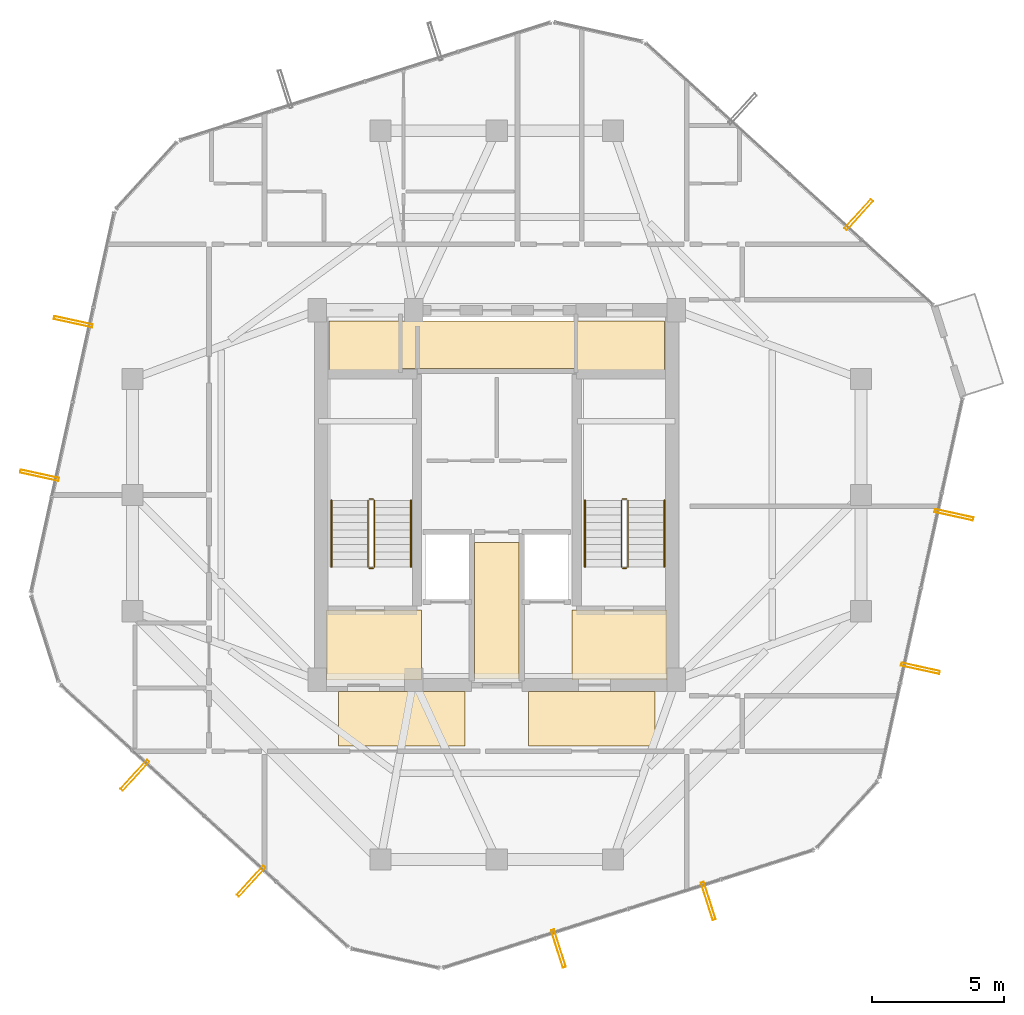
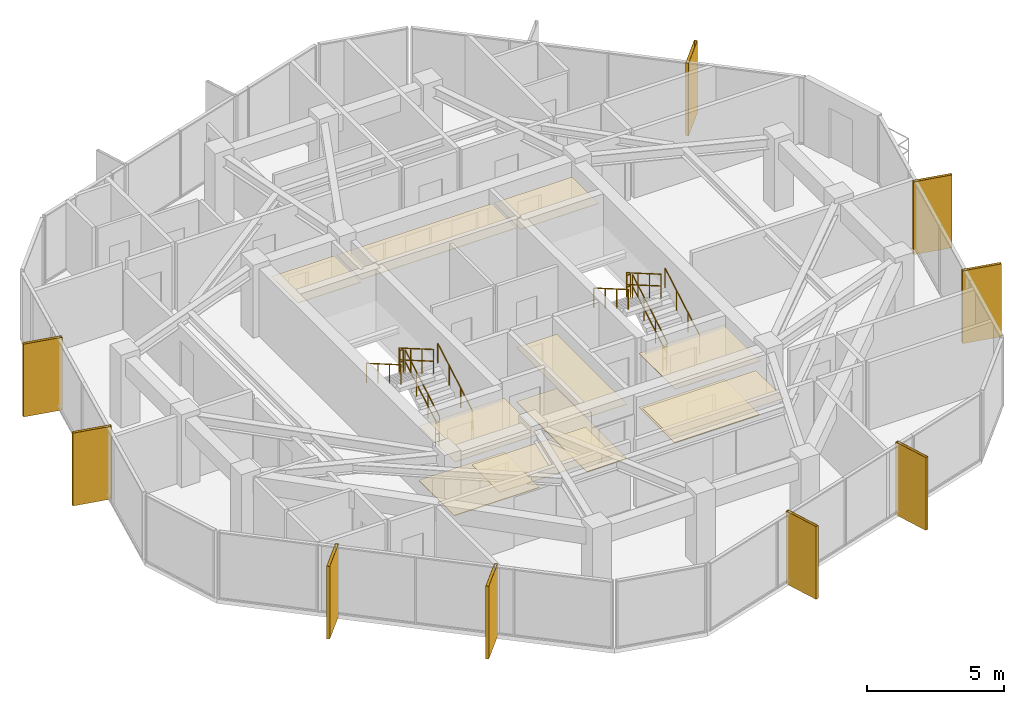
# One storey, part 27 of 28: 12 railings, 11 coverings, 9 shading devices.
"""IFC4 building model written with IfcOpenShell, lengths in metres."""

from ifc_helpers import new_model, si_unit, direction, frame, origin, origin_2d, place, context, subcontext, project, spatial, polyline, hollow_rectangle, circle, outline, extrude, material, layer, layer_set, material_profile, profile_set, type_object, element, save


model = new_model("IFC4")

# Units and contexts
model_context = context("Model", 3, precision=1e-05, world=origin(), true_north=direction((0.0, 1.0)))
body_context = subcontext(model_context, "Body", "Model", "MODEL_VIEW")
ifc_project = project(units=[si_unit("LENGTHUNIT", "METRE"), si_unit("AREAUNIT", "SQUARE_METRE"), si_unit("VOLUMEUNIT", "CUBIC_METRE"), si_unit("PLANEANGLEUNIT", "RADIAN"), si_unit("MASSUNIT", "GRAM", prefix="KILO")], contexts=[model_context])

# Site, building, storey
site_placement = place(None, origin())
site = spatial("IfcSite", under=ifc_project, at=site_placement, CompositionType="ELEMENT")
building_placement = place(site_placement, origin())
building = spatial("IfcBuilding", under=site, at=building_placement, Name="Veraguas Prism Commons", CompositionType="ELEMENT")
storey_placement = place(building_placement, frame((0.0, 0.0, 251.25)))
storey = spatial("IfcBuildingStorey", under=building, at=storey_placement, Name="L71", CompositionType="ELEMENT", Elevation=251.25)

# Shading devices
ifc_material_1 = material(Name="Anodised aluminium EN AW-6063 T6", Category="aluminium")
ifc_material_profile = material_profile(ifc_material_1, hollow_rectangle(XDim=0.1201171875, YDim=1.489990234375, WallThickness=0.006103515625, at=origin_2d()), Name="FIN120X1490X6")
ifc_profile_set = profile_set([ifc_material_profile], Name="Anodised aluminium EN AW-6063 T6")
shading_device_type = type_object("IfcShadingDeviceType", Name="Deep Pale-Metal Vertical Solar Fin 120x1490", PredefinedType="USERDEFINED", material=ifc_profile_set)
for number, where, z_axis, x_axis, name in (
    (1, (37.7080078125, 34.614501953125, -0.215087890625), (0.0, 0.0, 1.0), (-0.738925912503, 0.673786684219, 0.0), "Vertical Pale-Metal Solar Fin L71-F1A"),
    (2, (7.95361328125, 30.564208984375, -0.215087890625), (0.0, 0.0, 1.0), (-0.214048314383, -0.97682307462, 0.0), "Vertical Pale-Metal Solar Fin L71-F3A"),
    (3, (6.67919921875, 24.747802734375, -0.215087890625), (0.0, 0.0, 1.0), (-0.214048314383, -0.97682307462, 0.0), "Vertical Pale-Metal Solar Fin L71-F3B"),
    (4, (10.2919921875, 13.385498046875, -0.215087890625), (0.0, 0.0, 1.0), (0.738925912503, -0.673786684219, 0.0), "Vertical Pale-Metal Solar Fin L71-F4A"),
    (5, (14.692138671875, 9.37353515625, -0.215087890625), (0.0, 0.0, 1.0), (0.738925912503, -0.673786684219, 0.0), "Vertical Pale-Metal Solar Fin L71-F4B"),
    (6, (26.33837890625, 6.8212890625, -0.215087890625), (0.0, 0.0, 1.0), (0.952979341517, 0.303035269633, 0.0), "Vertical Pale-Metal Solar Fin L71-F5A"),
    (7, (32.012939453125, 8.6259765625, -0.215087890625), (0.0, 0.0, 1.0), (0.952979341517, 0.303035269633, 0.0), "Vertical Pale-Metal Solar Fin L71-F5B"),
    (8, (40.04638671875, 17.435791015625, -0.215087890625), (0.0, 0.0, 1.0), (0.214048314383, 0.97682307462, 0.0), "Vertical Pale-Metal Solar Fin L71-F6A"),
    (9, (41.32080078125, 23.252197265625, -0.215087890625), (0.0, 0.0, 1.0), (0.214048314383, 0.97682307462, 0.0), "Vertical Pale-Metal Solar Fin L71-F6B"),
):
    element("IfcShadingDevice", number, at=place(storey_placement, frame(where, z_axis=z_axis, x_axis=x_axis)), inside=storey, type_object=shading_device_type, Name=name, ObjectType="FIN", PredefinedType="USERDEFINED", context=body_context, shape_type="SweptSolid", body=[
        extrude(hollow_rectangle(XDim=0.1201171875, YDim=1.489990234375, WallThickness=0.006103515625, at=origin_2d()), origin(), (0.0, 0.0, 1.0), 3.25),
    ])

# Coverings
ifc_material_2 = material(Name="Acoustic gypsum board")
ifc_layer_1 = layer(ifc_material_2, 0.02490234375, Name="Perforated Acoustic Ceiling Tile 25")
ifc_layer_set_1 = layer_set([ifc_layer_1], Name="Acoustic gypsum board")
covering_type_1 = type_object("IfcCoveringType", Name="Perforated Acoustic Ceiling Tile 25", PredefinedType="USERDEFINED", material=ifc_layer_set_1)
covering_1_placement = place(storey_placement, frame((0.0, 0.0, 2.425048828125)))
element("IfcCovering", 10, at=covering_1_placement, inside=storey, type_object=covering_type_1, Name="East Lobby Acoustic Ceiling L71", ObjectType="ACOUSTIC CEILING", PredefinedType="USERDEFINED", context=body_context, shape_type="SweptSolid", body=[
    extrude(outline(polyline([(26.85009765625, 17.0), (30.449951171875, 17.0), (30.449951171875, 19.64990234375), (26.85009765625, 19.64990234375), (26.85009765625, 17.0)])), origin(), (0.0, 0.0, 1.0), 0.02490234375),
])
ifc_material_3 = material(Name="Terrazzo stone finish", Category="masonry")
ifc_layer_2 = layer(ifc_material_3, 0.030029296875, Name="Polished Terrazzo Floor Finish 30", Category="masonry")
ifc_layer_set_2 = layer_set([ifc_layer_2], Name="Terrazzo stone finish")
covering_type_2 = type_object("IfcCoveringType", Name="Polished Terrazzo Floor Finish 30", PredefinedType="FLOORING", material=ifc_layer_set_2)
covering_2_placement = place(storey_placement, origin())
element("IfcCovering", 11, at=covering_2_placement, inside=storey, type_object=covering_type_2, Name="Terrazzo Lobby Flooring L71", PredefinedType="FLOORING", context=body_context, shape_type="SweptSolid", body=[
    extrude(outline(polyline([(23.14990234375, 17.050048828125), (24.85009765625, 17.050048828125), (24.85009765625, 22.199951171875), (23.14990234375, 22.199951171875), (23.14990234375, 17.050048828125)])), origin(), (0.0, 0.0, 1.0), 0.030029296875),
])
covering_3_placement = place(storey_placement, origin())
element("IfcCovering", 12, at=covering_3_placement, inside=storey, type_object=covering_type_2, Name="West FF Lobby Terrazzo Flooring L71", PredefinedType="FLOORING", context=body_context, shape_type="SweptSolid", body=[
    extrude(outline(polyline([(17.550048828125, 17.050048828125), (21.14990234375, 17.050048828125), (21.14990234375, 19.64990234375), (17.550048828125, 19.64990234375), (17.550048828125, 17.050048828125)])), origin(), (0.0, 0.0, 1.0), 0.030029296875),
])
covering_4_placement = place(storey_placement, origin())
element("IfcCovering", 13, at=covering_4_placement, inside=storey, type_object=covering_type_2, Name="East FF Lobby Terrazzo Flooring L71", PredefinedType="FLOORING", context=body_context, shape_type="SweptSolid", body=[
    extrude(outline(polyline([(26.85009765625, 17.050048828125), (30.449951171875, 17.050048828125), (30.449951171875, 19.64990234375), (26.85009765625, 19.64990234375), (26.85009765625, 17.050048828125)])), origin(), (0.0, 0.0, 1.0), 0.030029296875),
])

# Railings
ifc_material_4 = material(Name="Stainless steel AISI 316", Category="steel")
railing_type_1 = type_object("IfcRailingType", Name="Stair and Ramp Stainless Handrail 900", PredefinedType="HANDRAIL", material=ifc_material_4)
railing_1_placement = place(storey_placement, frame((20.75, 21.280029296875, 0.16259765625)))
element("IfcRailing", 14, at=railing_1_placement, inside=storey, type_object=railing_type_1, Name="Stair Handrail ST-01 L71-1", PredefinedType="HANDRAIL", context=body_context, shape_type="SweptSolid", body=[
    extrude(circle(Radius=0.02392578125, at=origin_2d()), frame((0.0, 0.0, 0.8759765625), z_axis=(0.0, 0.864913338283, 0.50192122615), x_axis=(-1.0, 0.0, 0.0)), (0.0, 0.0, 1.0), 2.91357421875),
    extrude(circle(Radius=0.02099609375, at=origin_2d()), origin(), (0.0, 0.0, 1.0), 0.851806640625),
    extrude(circle(Radius=0.02099609375, at=origin_2d()), frame((0.0, 0.840087890625, 0.487548828125)), (0.0, 0.0, 1.0), 0.851806640625),
    extrude(circle(Radius=0.02099609375, at=origin_2d()), frame((0.0, 1.679931640625, 0.974853515625)), (0.0, 0.0, 1.0), 0.851806640625),
    extrude(circle(Radius=0.02099609375, at=origin_2d()), frame((0.0, 2.52001953125, 1.46240234375)), (0.0, 0.0, 1.0), 0.851806640625),
])
railing_2_placement = place(storey_placement, frame((17.739990234375, 23.800048828125, 1.78759765625)))
element("IfcRailing", 15, at=railing_2_placement, inside=storey, type_object=railing_type_1, Name="Stair Handrail ST-01 L71-2", PredefinedType="HANDRAIL", context=body_context, shape_type="SweptSolid", body=[
    extrude(circle(Radius=0.02392578125, at=origin_2d()), frame((0.0, 0.0, 0.8759765625), z_axis=(0.0, -0.864913338283, 0.50192122615), x_axis=(1.0, 0.0, 0.0)), (0.0, 0.0, 1.0), 2.91357421875),
    extrude(circle(Radius=0.02099609375, at=origin_2d()), origin(), (0.0, 0.0, 1.0), 0.851806640625),
    extrude(circle(Radius=0.02099609375, at=origin_2d()), frame((0.0, -0.840087890625, 0.487548828125)), (0.0, 0.0, 1.0), 0.851806640625),
    extrude(circle(Radius=0.02099609375, at=origin_2d()), frame((0.0, -1.679931640625, 0.974853515625)), (0.0, 0.0, 1.0), 0.851806640625),
    extrude(circle(Radius=0.02099609375, at=origin_2d()), frame((0.0, -2.52001953125, 1.46240234375)), (0.0, 0.0, 1.0), 0.851806640625),
])
railing_3_placement = place(storey_placement, frame((30.35009765625, 21.280029296875, 0.16259765625)))
element("IfcRailing", 16, at=railing_3_placement, inside=storey, type_object=railing_type_1, Name="Stair Handrail ST-02 L71-1", PredefinedType="HANDRAIL", context=body_context, shape_type="SweptSolid", body=[
    extrude(circle(Radius=0.02392578125, at=origin_2d()), frame((0.0, 0.0, 0.8759765625), z_axis=(0.0, 0.864913338283, 0.50192122615), x_axis=(-1.0, 0.0, 0.0)), (0.0, 0.0, 1.0), 2.91357421875),
    extrude(circle(Radius=0.02099609375, at=origin_2d()), origin(), (0.0, 0.0, 1.0), 0.851806640625),
    extrude(circle(Radius=0.02099609375, at=origin_2d()), frame((0.0, 0.840087890625, 0.487548828125)), (0.0, 0.0, 1.0), 0.851806640625),
    extrude(circle(Radius=0.02099609375, at=origin_2d()), frame((0.0, 1.679931640625, 0.974853515625)), (0.0, 0.0, 1.0), 0.851806640625),
    extrude(circle(Radius=0.02099609375, at=origin_2d()), frame((0.0, 2.52001953125, 1.46240234375)), (0.0, 0.0, 1.0), 0.851806640625),
])
railing_4_placement = place(storey_placement, frame((27.340087890625, 23.800048828125, 1.78759765625)))
element("IfcRailing", 17, at=railing_4_placement, inside=storey, type_object=railing_type_1, Name="Stair Handrail ST-02 L71-2", PredefinedType="HANDRAIL", context=body_context, shape_type="SweptSolid", body=[
    extrude(circle(Radius=0.02392578125, at=origin_2d()), frame((0.0, 0.0, 0.8759765625), z_axis=(0.0, -0.864913338283, 0.50192122615), x_axis=(1.0, 0.0, 0.0)), (0.0, 0.0, 1.0), 2.91357421875),
    extrude(circle(Radius=0.02099609375, at=origin_2d()), origin(), (0.0, 0.0, 1.0), 0.851806640625),
    extrude(circle(Radius=0.02099609375, at=origin_2d()), frame((0.0, -0.840087890625, 0.487548828125)), (0.0, 0.0, 1.0), 0.851806640625),
    extrude(circle(Radius=0.02099609375, at=origin_2d()), frame((0.0, -1.679931640625, 0.974853515625)), (0.0, 0.0, 1.0), 0.851806640625),
    extrude(circle(Radius=0.02099609375, at=origin_2d()), frame((0.0, -2.52001953125, 1.46240234375)), (0.0, 0.0, 1.0), 0.851806640625),
])
railing_type_2 = type_object("IfcRailingType", Name="Stairwell Safety Guardrail 1100", PredefinedType="GUARDRAIL", material=ifc_material_4)
railing_5_placement = place(storey_placement, frame((19.3701171875, 21.280029296875, 0.16259765625)))
element("IfcRailing", 18, at=railing_5_placement, inside=storey, type_object=railing_type_2, Name="Stair Guard ST-01 L71-1", PredefinedType="GUARDRAIL", context=body_context, shape_type="SweptSolid", body=[
    extrude(circle(Radius=0.02392578125, at=origin_2d()), frame((0.0, 0.0, 1.076171875), z_axis=(0.0, 0.864913338283, 0.50192122615), x_axis=(-1.0, 0.0, 0.0)), (0.0, 0.0, 1.0), 2.91357421875),
    extrude(circle(Radius=0.02392578125, at=origin_2d()), frame((0.0, 0.0, 0.550048828125), z_axis=(0.0, 0.864913338283, 0.50192122615), x_axis=(-1.0, 0.0, 0.0)), (0.0, 0.0, 1.0), 2.91357421875),
    extrude(circle(Radius=0.02099609375, at=origin_2d()), origin(), (0.0, 0.0, 1.0), 1.052001953125),
    extrude(circle(Radius=0.02099609375, at=origin_2d()), frame((0.0, 0.840087890625, 0.487548828125)), (0.0, 0.0, 1.0), 1.052001953125),
    extrude(circle(Radius=0.02099609375, at=origin_2d()), frame((0.0, 1.679931640625, 0.974853515625)), (0.0, 0.0, 1.0), 1.052001953125),
    extrude(circle(Radius=0.02099609375, at=origin_2d()), frame((0.0, 2.52001953125, 1.46240234375)), (0.0, 0.0, 1.0), 1.052001953125),
])
railing_6_placement = place(storey_placement, frame((19.320068359375, 23.85009765625, 1.625)))
element("IfcRailing", 19, at=railing_6_placement, inside=storey, type_object=railing_type_2, Name="Stair Guard ST-01 L71-2", PredefinedType="GUARDRAIL", context=body_context, shape_type="SweptSolid", body=[
    extrude(circle(Radius=0.02392578125, at=origin_2d()), frame((0.0, 0.0, 1.076171875), z_axis=(-1.0, 0.0, 0.0), x_axis=(0.0, -1.0, 0.0)), (0.0, 0.0, 1.0), 0.150146484375),
    extrude(circle(Radius=0.02392578125, at=origin_2d()), frame((0.0, 0.0, 0.550048828125), z_axis=(-1.0, 0.0, 0.0), x_axis=(0.0, -1.0, 0.0)), (0.0, 0.0, 1.0), 0.150146484375),
    extrude(circle(Radius=0.02099609375, at=origin_2d()), origin(), (0.0, 0.0, 1.0), 1.052001953125),
    extrude(circle(Radius=0.02099609375, at=origin_2d()), frame((-0.150146484375, 0.0, 0.0)), (0.0, 0.0, 1.0), 1.052001953125),
])
railing_7_placement = place(storey_placement, frame((19.1201171875, 23.800048828125, 1.78759765625)))
element("IfcRailing", 20, at=railing_7_placement, inside=storey, type_object=railing_type_2, Name="Stair Guard ST-01 L71-3", PredefinedType="GUARDRAIL", context=body_context, shape_type="SweptSolid", body=[
    extrude(circle(Radius=0.02392578125, at=origin_2d()), frame((0.0, 0.0, 1.076171875), z_axis=(0.0, -0.864913338283, 0.50192122615), x_axis=(1.0, 0.0, 0.0)), (0.0, 0.0, 1.0), 2.91357421875),
    extrude(circle(Radius=0.02392578125, at=origin_2d()), frame((0.0, 0.0, 0.550048828125), z_axis=(0.0, -0.864913338283, 0.50192122615), x_axis=(1.0, 0.0, 0.0)), (0.0, 0.0, 1.0), 2.91357421875),
    extrude(circle(Radius=0.02099609375, at=origin_2d()), origin(), (0.0, 0.0, 1.0), 1.052001953125),
    extrude(circle(Radius=0.02099609375, at=origin_2d()), frame((0.0, -0.840087890625, 0.487548828125)), (0.0, 0.0, 1.0), 1.052001953125),
    extrude(circle(Radius=0.02099609375, at=origin_2d()), frame((0.0, -1.679931640625, 0.974853515625)), (0.0, 0.0, 1.0), 1.052001953125),
    extrude(circle(Radius=0.02099609375, at=origin_2d()), frame((0.0, -2.52001953125, 1.46240234375)), (0.0, 0.0, 1.0), 1.052001953125),
])
railing_8_placement = place(storey_placement, frame((19.320068359375, 21.22998046875, 0.0)))
element("IfcRailing", 21, at=railing_8_placement, inside=storey, type_object=railing_type_2, Name="Stair Guard ST-01 L71-4", PredefinedType="GUARDRAIL", context=body_context, shape_type="SweptSolid", body=[
    extrude(circle(Radius=0.02392578125, at=origin_2d()), frame((0.0, 0.0, 1.076171875), z_axis=(-1.0, 0.0, 0.0), x_axis=(0.0, -1.0, 0.0)), (0.0, 0.0, 1.0), 0.150146484375),
    extrude(circle(Radius=0.02392578125, at=origin_2d()), frame((0.0, 0.0, 0.550048828125), z_axis=(-1.0, 0.0, 0.0), x_axis=(0.0, -1.0, 0.0)), (0.0, 0.0, 1.0), 0.150146484375),
    extrude(circle(Radius=0.02099609375, at=origin_2d()), origin(), (0.0, 0.0, 1.0), 1.052001953125),
    extrude(circle(Radius=0.02099609375, at=origin_2d()), frame((-0.150146484375, 0.0, 0.0)), (0.0, 0.0, 1.0), 1.052001953125),
])
railing_9_placement = place(storey_placement, frame((28.969970703125, 21.280029296875, 0.16259765625)))
element("IfcRailing", 22, at=railing_9_placement, inside=storey, type_object=railing_type_2, Name="Stair Guard ST-02 L71-1", PredefinedType="GUARDRAIL", context=body_context, shape_type="SweptSolid", body=[
    extrude(circle(Radius=0.02392578125, at=origin_2d()), frame((0.0, 0.0, 1.076171875), z_axis=(0.0, 0.864913338283, 0.50192122615), x_axis=(-1.0, 0.0, 0.0)), (0.0, 0.0, 1.0), 2.91357421875),
    extrude(circle(Radius=0.02392578125, at=origin_2d()), frame((0.0, 0.0, 0.550048828125), z_axis=(0.0, 0.864913338283, 0.50192122615), x_axis=(-1.0, 0.0, 0.0)), (0.0, 0.0, 1.0), 2.91357421875),
    extrude(circle(Radius=0.02099609375, at=origin_2d()), origin(), (0.0, 0.0, 1.0), 1.052001953125),
    extrude(circle(Radius=0.02099609375, at=origin_2d()), frame((0.0, 0.840087890625, 0.487548828125)), (0.0, 0.0, 1.0), 1.052001953125),
    extrude(circle(Radius=0.02099609375, at=origin_2d()), frame((0.0, 1.679931640625, 0.974853515625)), (0.0, 0.0, 1.0), 1.052001953125),
    extrude(circle(Radius=0.02099609375, at=origin_2d()), frame((0.0, 2.52001953125, 1.46240234375)), (0.0, 0.0, 1.0), 1.052001953125),
])
railing_10_placement = place(storey_placement, frame((28.919921875, 23.85009765625, 1.625)))
element("IfcRailing", 23, at=railing_10_placement, inside=storey, type_object=railing_type_2, Name="Stair Guard ST-02 L71-2", PredefinedType="GUARDRAIL", context=body_context, shape_type="SweptSolid", body=[
    extrude(circle(Radius=0.02392578125, at=origin_2d()), frame((0.0, 0.0, 1.076171875), z_axis=(-1.0, 0.0, 0.0), x_axis=(0.0, -1.0, 0.0)), (0.0, 0.0, 1.0), 0.14990234375),
    extrude(circle(Radius=0.02392578125, at=origin_2d()), frame((0.0, 0.0, 0.550048828125), z_axis=(-1.0, 0.0, 0.0), x_axis=(0.0, -1.0, 0.0)), (0.0, 0.0, 1.0), 0.14990234375),
    extrude(circle(Radius=0.02099609375, at=origin_2d()), origin(), (0.0, 0.0, 1.0), 1.052001953125),
    extrude(circle(Radius=0.02099609375, at=origin_2d()), frame((-0.14990234375, 0.0, 0.0)), (0.0, 0.0, 1.0), 1.052001953125),
])
railing_11_placement = place(storey_placement, frame((28.719970703125, 23.800048828125, 1.78759765625)))
element("IfcRailing", 24, at=railing_11_placement, inside=storey, type_object=railing_type_2, Name="Stair Guard ST-02 L71-3", PredefinedType="GUARDRAIL", context=body_context, shape_type="SweptSolid", body=[
    extrude(circle(Radius=0.02392578125, at=origin_2d()), frame((0.0, 0.0, 1.076171875), z_axis=(0.0, -0.864913338283, 0.50192122615), x_axis=(1.0, 0.0, 0.0)), (0.0, 0.0, 1.0), 2.91357421875),
    extrude(circle(Radius=0.02392578125, at=origin_2d()), frame((0.0, 0.0, 0.550048828125), z_axis=(0.0, -0.864913338283, 0.50192122615), x_axis=(1.0, 0.0, 0.0)), (0.0, 0.0, 1.0), 2.91357421875),
    extrude(circle(Radius=0.02099609375, at=origin_2d()), origin(), (0.0, 0.0, 1.0), 1.052001953125),
    extrude(circle(Radius=0.02099609375, at=origin_2d()), frame((0.0, -0.840087890625, 0.487548828125)), (0.0, 0.0, 1.0), 1.052001953125),
    extrude(circle(Radius=0.02099609375, at=origin_2d()), frame((0.0, -1.679931640625, 0.974853515625)), (0.0, 0.0, 1.0), 1.052001953125),
    extrude(circle(Radius=0.02099609375, at=origin_2d()), frame((0.0, -2.52001953125, 1.46240234375)), (0.0, 0.0, 1.0), 1.052001953125),
])
railing_12_placement = place(storey_placement, frame((28.919921875, 21.22998046875, 0.0)))
element("IfcRailing", 25, at=railing_12_placement, inside=storey, type_object=railing_type_2, Name="Stair Guard ST-02 L71-4", PredefinedType="GUARDRAIL", context=body_context, shape_type="SweptSolid", body=[
    extrude(circle(Radius=0.02392578125, at=origin_2d()), frame((0.0, 0.0, 1.076171875), z_axis=(-1.0, 0.0, 0.0), x_axis=(0.0, -1.0, 0.0)), (0.0, 0.0, 1.0), 0.14990234375),
    extrude(circle(Radius=0.02392578125, at=origin_2d()), frame((0.0, 0.0, 0.550048828125), z_axis=(-1.0, 0.0, 0.0), x_axis=(0.0, -1.0, 0.0)), (0.0, 0.0, 1.0), 0.14990234375),
    extrude(circle(Radius=0.02099609375, at=origin_2d()), origin(), (0.0, 0.0, 1.0), 1.052001953125),
    extrude(circle(Radius=0.02099609375, at=origin_2d()), frame((-0.14990234375, 0.0, 0.0)), (0.0, 0.0, 1.0), 1.052001953125),
])

# Coverings
ifc_layer_3 = layer(ifc_material_2, 0.02001953125, Name="Suspended Gypsum Ceiling 20")
ifc_layer_set_3 = layer_set([ifc_layer_3], Name="Acoustic gypsum board")
covering_type_3 = type_object("IfcCoveringType", Name="Suspended Gypsum Ceiling 20", PredefinedType="CEILING", material=ifc_layer_set_3)
covering_5_placement = place(storey_placement, frame((0.0, 0.0, 2.429931640625)))
element("IfcCovering", 26, at=covering_5_placement, inside=storey, type_object=covering_type_3, Name="West Lobby Suspended Gypsum Ceiling L71", PredefinedType="CEILING", context=body_context, shape_type="SweptSolid", body=[
    extrude(outline(polyline([(17.550048828125, 17.0), (21.14990234375, 17.0), (21.14990234375, 19.64990234375), (17.550048828125, 19.64990234375), (17.550048828125, 17.0)])), origin(), (0.0, 0.0, 1.0), 0.02001953125),
])
covering_6_placement = place(storey_placement, frame((0.0, 0.0, 2.429931640625)))
element("IfcCovering", 27, at=covering_6_placement, inside=storey, type_object=covering_type_3, Name="Core Lobby Acoustic Ceiling L71-1", PredefinedType="CEILING", context=body_context, shape_type="SweptSolid", body=[
    extrude(outline(polyline([(18.0, 14.5), (22.800048828125, 14.5), (22.800048828125, 16.550048828125), (18.0, 16.550048828125), (18.0, 14.5)])), origin(), (0.0, 0.0, 1.0), 0.02001953125),
])
covering_7_placement = place(storey_placement, frame((0.0, 0.0, 2.429931640625)))
element("IfcCovering", 28, at=covering_7_placement, inside=storey, type_object=covering_type_3, Name="Core Lobby Acoustic Ceiling L71-2", PredefinedType="CEILING", context=body_context, shape_type="SweptSolid", body=[
    extrude(outline(polyline([(25.199951171875, 14.5), (30.0, 14.5), (30.0, 16.550048828125), (25.199951171875, 16.550048828125), (25.199951171875, 14.5)])), origin(), (0.0, 0.0, 1.0), 0.02001953125),
])
covering_8_placement = place(storey_placement, frame((0.0, 0.0, 2.429931640625)))
element("IfcCovering", 29, at=covering_8_placement, inside=storey, type_object=covering_type_3, Name="Core Lobby Acoustic Ceiling L71-3", PredefinedType="CEILING", context=body_context, shape_type="SweptSolid", body=[
    extrude(outline(polyline([(23.14990234375, 17.050048828125), (24.85009765625, 17.050048828125), (24.85009765625, 22.199951171875), (23.14990234375, 22.199951171875), (23.14990234375, 17.050048828125)])), origin(), (0.0, 0.0, 1.0), 0.02001953125),
])
covering_9_placement = place(storey_placement, frame((0.0, 0.0, 2.429931640625)))
element("IfcCovering", 30, at=covering_9_placement, inside=storey, type_object=covering_type_3, Name="Core Lobby Acoustic Ceiling L71-4", PredefinedType="CEILING", context=body_context, shape_type="SweptSolid", body=[
    extrude(outline(polyline([(17.64990234375, 28.64990234375), (20.300048828125, 28.64990234375), (20.300048828125, 30.60009765625), (17.64990234375, 30.60009765625), (17.64990234375, 28.64990234375)])), origin(), (0.0, 0.0, 1.0), 0.02001953125),
])
covering_10_placement = place(storey_placement, frame((0.0, 0.0, 2.429931640625)))
element("IfcCovering", 31, at=covering_10_placement, inside=storey, type_object=covering_type_3, Name="Core Lobby Acoustic Ceiling L71-5", PredefinedType="CEILING", context=body_context, shape_type="SweptSolid", body=[
    extrude(outline(polyline([(27.050048828125, 28.64990234375), (30.35009765625, 28.64990234375), (30.35009765625, 30.60009765625), (27.050048828125, 30.60009765625), (27.050048828125, 28.64990234375)])), origin(), (0.0, 0.0, 1.0), 0.02001953125),
])
covering_11_placement = place(storey_placement, frame((0.0, 0.0, 2.429931640625)))
element("IfcCovering", 32, at=covering_11_placement, inside=storey, type_object=covering_type_3, Name="Core Lobby Acoustic Ceiling L71-6", PredefinedType="CEILING", context=body_context, shape_type="SweptSolid", body=[
    extrude(outline(polyline([(20.39990234375, 28.800048828125), (26.949951171875, 28.800048828125), (26.949951171875, 30.60009765625), (20.39990234375, 30.60009765625), (20.39990234375, 28.800048828125)])), origin(), (0.0, 0.0, 1.0), 0.02001953125),
])

save(model, "model.ifc")
